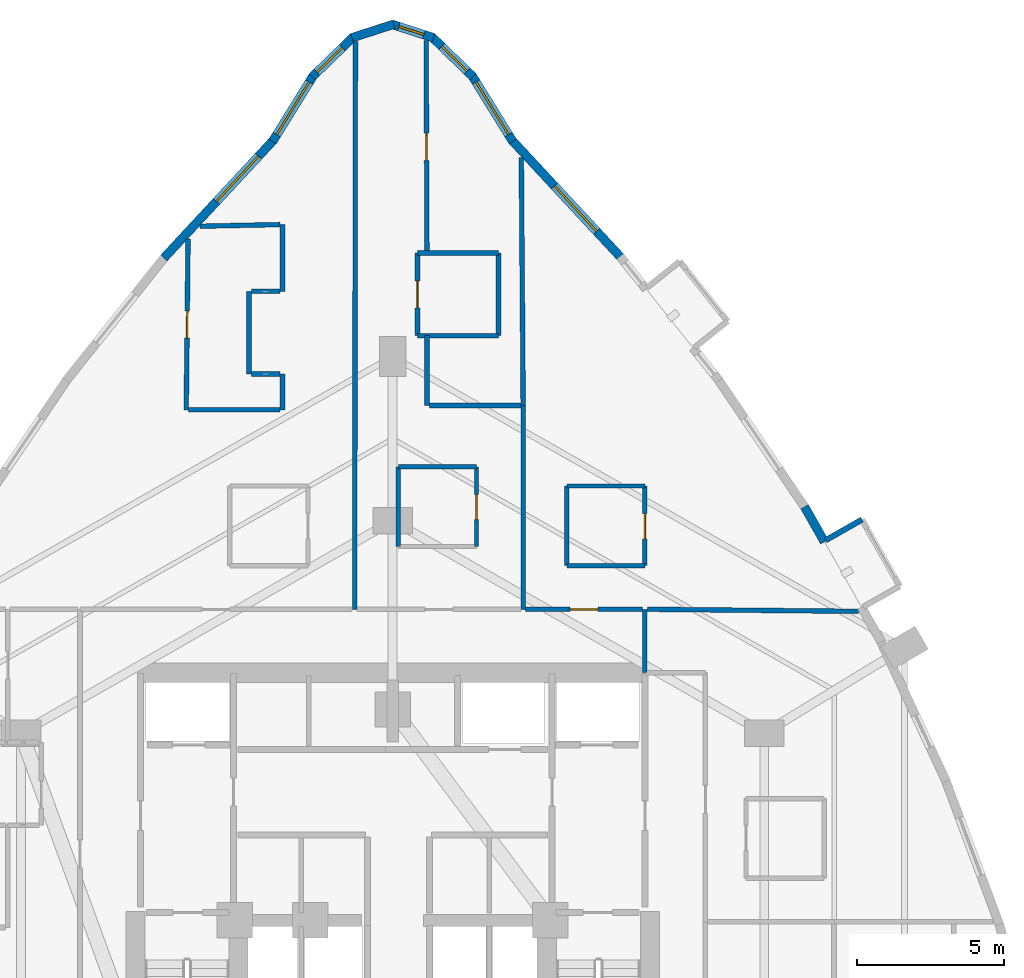
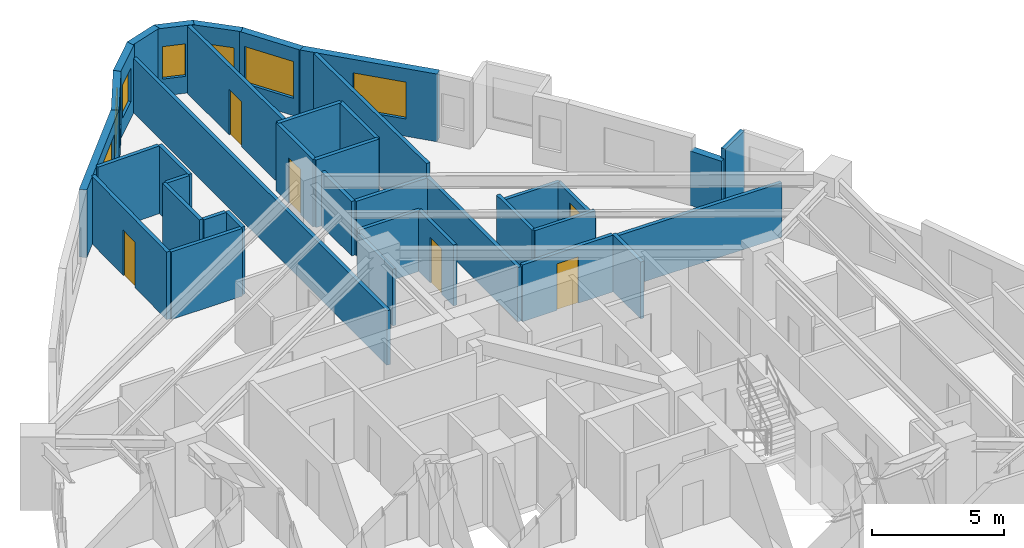
# One storey, part 11 of 13: 38 walls, 7 windows, 6 doors, 13 openings.
"""IFC4 building model written with IfcOpenShell, lengths in metres."""

import ifcopenshell
import ifcopenshell.guid

model = None  # the IFC model being written
_history = None  # IfcOwnerHistory: only IFC2X3 demands one
_inside = {}  # id of a spatial element -> (the spatial element, [elements in it])
_under = {}  # id of a project, library or spatial element -> (it, [spatial elements below it])
_declared = {}  # id of a project -> (the project, [libraries it declares])
_typed = {}  # id of a type object -> (the type object, [elements of that type])
_made_of = {}  # id of a material, layer set ... -> (it, [elements and type objects made of it])


def new_model(schema):
    """Start an empty IFC model of exactly this schema.

    Asked for "IFC4X3", IfcOpenShell would pick the latest addendum, in which some entities
    have other attributes; the version numbers below select the first issue.
    IFC2X3 requires an IfcOwnerHistory on every rooted entity: one is made here for all.
    """
    global model, _history
    if schema == "IFC4X3":
        model = ifcopenshell.file(schema_version=(4, 3, 0, 0))
    else:
        model = ifcopenshell.file(schema=schema)
    _inside.clear()
    _under.clear()
    _declared.clear()
    _typed.clear()
    _made_of.clear()
    _history = None
    if model.schema == "IFC2X3":
        org = make("IfcOrganization", Name="unknown")
        user = make(
            "IfcPersonAndOrganization",
            ThePerson=make("IfcPerson", FamilyName="unknown"),
            TheOrganization=org,
        )
        app = make(
            "IfcApplication",
            ApplicationDeveloper=org,
            Version="unknown",
            ApplicationFullName="unknown",
            ApplicationIdentifier="unknown",
        )
        _history = make(
            "IfcOwnerHistory",
            OwningUser=user,
            OwningApplication=app,
            ChangeAction="ADDED",
            CreationDate=0,
        )
    return model


def make(cls, **values):
    """One entity of the class cls with the attributes given. An attribute that is None is left unset."""
    return model.create_entity(
        cls, **{name: value for name, value in values.items() if value is not None}
    )


def rooted(cls, **values):
    """An entity with a GlobalId (a new one), such as an element, a storey or a relation."""
    return make(cls, GlobalId=ifcopenshell.guid.new(), OwnerHistory=_history, **values)


def si_unit(unit_type, name, prefix=None):
    """IfcSIUnit, for example si_unit("LENGTHUNIT", "METRE", prefix="MILLI")."""
    return make("IfcSIUnit", UnitType=unit_type, Prefix=prefix, Name=name)


def assignment(units):
    """IfcUnitAssignment: the units of a project."""
    return None if units is None else make("IfcUnitAssignment", Units=units)


def point(xyz):
    """IfcCartesianPoint."""
    return None if xyz is None else make("IfcCartesianPoint", Coordinates=xyz)


def direction(xyz):
    """IfcDirection."""
    return None if xyz is None else make("IfcDirection", DirectionRatios=xyz)


def frame(location, z_axis=None, x_axis=None):
    """IfcAxis2Placement3D, a coordinate frame: its origin and axes. An axis left out is left unset."""
    return make(
        "IfcAxis2Placement3D",
        Location=point(location),
        Axis=direction(z_axis),
        RefDirection=direction(x_axis),
    )


def frame_2d(location, x_axis=None):
    """IfcAxis2Placement2D, a coordinate frame in the plane: its origin and x axis."""
    return make(
        "IfcAxis2Placement2D", Location=point(location), RefDirection=direction(x_axis)
    )


def origin():
    """The frame at (0, 0, 0) with its axes left unset."""
    return frame((0.0, 0.0, 0.0))


def place(relative_to, where):
    """IfcLocalPlacement: puts the frame where relative to a parent placement (None: the world)."""
    return make(
        "IfcLocalPlacement", PlacementRelTo=relative_to, RelativePlacement=where
    )


def context(
    kind, dimensions, precision=None, world=None, true_north=None, identifier=None
):
    """IfcGeometricRepresentationContext, for example the 3D "Model" context."""
    return make(
        "IfcGeometricRepresentationContext",
        ContextIdentifier=identifier,
        ContextType=kind,
        CoordinateSpaceDimension=dimensions,
        Precision=precision,
        WorldCoordinateSystem=world,
        TrueNorth=true_north,
    )


def subcontext(parent, identifier, kind, view, scale=None):
    """IfcGeometricRepresentationSubContext, for example "Body" below "Model"."""
    return make(
        "IfcGeometricRepresentationSubContext",
        ContextIdentifier=identifier,
        ContextType=kind,
        ParentContext=parent,
        TargetScale=scale,
        TargetView=view,
    )


def project(units=None, contexts=None):
    """IfcProject with its units and contexts."""
    return rooted(
        "IfcProject",
        Name="project",
        RepresentationContexts=contexts,
        UnitsInContext=assignment(units),
    )


def spatial(cls, under=None, at=None, **own):
    """A site, building, storey or space (cls), placed at a placement, below another one or the project."""
    s = rooted(cls, ObjectPlacement=at, **own)
    if under is not None:
        _under.setdefault(under.id(), (under, []))[1].append(s)
    return s


def profile(cls, at=None, kind="AREA", **sizes):
    """A parametric profile (cls). Its sizes go by their IFC names, for example OverallWidth=200.0."""
    return make(cls, ProfileType=kind, Position=at, **sizes)


def rectangle(**sizes):
    """IfcRectangleProfileDef."""
    return profile("IfcRectangleProfileDef", **sizes)


def extrude(swept, where, along, depth):
    """IfcExtrudedAreaSolid: the profile swept, set in the frame where, extruded along a direction by depth."""
    return make(
        "IfcExtrudedAreaSolid",
        SweptArea=swept,
        Position=where,
        ExtrudedDirection=direction(along),
        Depth=depth,
    )


def shape(context_of_items, identifier, shape_type, items):
    """IfcShapeRepresentation: the items that make up one representation, for example the "Body"."""
    return make(
        "IfcShapeRepresentation",
        ContextOfItems=context_of_items,
        RepresentationIdentifier=identifier,
        RepresentationType=shape_type,
        Items=items,
    )


def material(Name=None, Category=None):
    """IfcMaterial."""
    return make("IfcMaterial", Name=Name, Category=Category)


def layer(
    of_material, thickness, ventilated=None, Name=None, Category=None, Priority=None
):
    """IfcMaterialLayer: one layer of a wall or slab, of a material (None: an air gap)."""
    return make(
        "IfcMaterialLayer",
        Material=of_material,
        LayerThickness=thickness,
        IsVentilated=ventilated,
        Name=Name,
        Category=Category,
        Priority=Priority,
    )


def layer_set(layers, Name=None):
    """IfcMaterialLayerSet."""
    return make("IfcMaterialLayerSet", MaterialLayers=layers, LayerSetName=Name)


def made_of(thing, what):
    """Note that an element or type object is made of a material, layer set ...; save() writes the relation."""
    if what is not None:
        _made_of.setdefault(what.id(), (what, []))[1].append(thing)
    return thing


def type_object(cls, material=None, **own):
    """A type object (cls), such as IfcWallType, which elements share."""
    return made_of(rooted(cls, **own), material)


def element(
    cls,
    number,
    at=None,
    inside=None,
    cuts=None,
    type_object=None,
    material=None,
    context=None,
    identifier="Body",
    shape_type=None,
    held_by="IfcProductDefinitionShape",
    body=None,
    shapes=None,
    **own,
):
    """One element of the class cls, such as IfcWall. Its Tag is "e" and its number.

    at: its placement. inside: the storey or other place that contains it. cuts: it is an
    opening in that element (IfcRelVoidsElement). A single representation is given by context,
    identifier, shape_type and body (its items); several are given by shapes. held_by: the class
    of the entity that holds the representations. save() writes the other relations.
    """
    e = rooted(cls, Tag="e%d" % number, ObjectPlacement=at, **own)
    if body is not None:
        shapes = [shape(context, identifier, shape_type, body)]
    if shapes is not None:
        e.Representation = make(held_by, Representations=shapes)
    if inside is not None:
        _inside.setdefault(inside.id(), (inside, []))[1].append(e)
    if cuts is not None:
        rooted(
            "IfcRelVoidsElement", RelatingBuildingElement=cuts, RelatedOpeningElement=e
        )
    if type_object is not None:
        _typed.setdefault(type_object.id(), (type_object, []))[1].append(e)
    return made_of(e, material)


def fill(opening, filler):
    """IfcRelFillsElement: the door or window that sits in an opening."""
    return rooted(
        "IfcRelFillsElement",
        RelatingOpeningElement=opening,
        RelatedBuildingElement=filler,
    )


def aggregate(whole, parts):
    """IfcRelAggregates: a whole, such as a stair, and the parts it consists of."""
    return rooted("IfcRelAggregates", RelatingObject=whole, RelatedObjects=parts)


def save(model, path):
    """Write the relations noted so far, then the file.

    IfcRelAggregates (storeys below a building ...), IfcRelContainedInSpatialStructure (elements
    in a storey), IfcRelDefinesByType, IfcRelAssociatesMaterial and IfcRelDeclares: one each for
    every whole, place, type object, material and project.
    """
    for whole, parts in _under.values():
        aggregate(whole, parts)
    for where, things in _inside.values():
        rooted(
            "IfcRelContainedInSpatialStructure",
            RelatedElements=things,
            RelatingStructure=where,
        )
    for kind, things in _typed.values():
        rooted("IfcRelDefinesByType", RelatedObjects=things, RelatingType=kind)
    for what, things in _made_of.values():
        rooted("IfcRelAssociatesMaterial", RelatedObjects=things, RelatingMaterial=what)
    for by, libraries in _declared.values():
        rooted("IfcRelDeclares", RelatingContext=by, RelatedDefinitions=libraries)
    model.write(path)


model = new_model("IFC4")

# Units and contexts
model_context = context("Model", 3, precision=1e-05, world=origin(), true_north=direction((0.0, 1.0)))
body_context = subcontext(model_context, "Body", "Model", "MODEL_VIEW")
ifc_project = project(units=[si_unit("LENGTHUNIT", "METRE"), si_unit("AREAUNIT", "SQUARE_METRE"), si_unit("VOLUMEUNIT", "CUBIC_METRE"), si_unit("PLANEANGLEUNIT", "RADIAN"), si_unit("MASSUNIT", "GRAM", prefix="KILO")], contexts=[model_context])

# Site, building, storey
site_placement = place(None, origin())
site = spatial("IfcSite", under=ifc_project, at=site_placement, CompositionType="ELEMENT")
building_placement = place(site_placement, origin())
building = spatial("IfcBuilding", under=site, at=building_placement, Name="Miruveldt Soraemaru", CompositionType="ELEMENT")
storey_placement = place(building_placement, frame((0.0, 0.0, 63.199951171875)))
storey = spatial("IfcBuildingStorey", under=building, at=storey_placement, Name="L17", CompositionType="ELEMENT", Elevation=63.199951171875)

# Wall
ifc_material_1 = material(Name="White powder-coated aluminium EN AW-6060 T6", Category="aluminium")
ifc_layer_1 = layer(ifc_material_1, 0.18994140625, Name="White powder-coated aluminium EN AW-6060 T6", Category="aluminium")
ifc_layer_set_1 = layer_set([ifc_layer_1], Name="White powder-coated aluminium EN AW-6060 T6")
wall_type_1 = type_object("IfcWallType", Name="WALL-BAY-ALU190", PredefinedType="SOLIDWALL", material=ifc_layer_set_1)
wall_1_placement = place(storey_placement, frame((59.91650390625, 57.643310546875, 0.0), z_axis=(0.0, 0.0, 1.0), x_axis=(-0.869799191674, -0.493405883794, 0.0)))
element("IfcWall", 1, at=wall_1_placement, inside=storey, type_object=wall_type_1, Name="L17 Bay Window Side Cheek 5R", PredefinedType="SOLIDWALL", context=body_context, shape_type="SweptSolid", body=[
    extrude(rectangle(XDim=1.425048828125, YDim=0.18994140625, at=frame_2d((0.71240234375, 0.0))), origin(), (0.0, 0.0, 1.0), 2.97509765625),
])

# Wall, opening, window
ifc_material_2 = material(Name="Precast concrete C45/55 (45 MPa)", Category="concrete")
ifc_layer_2 = layer(ifc_material_2, 0.300048828125, Name="Precast concrete C45/55 (45 MPa)", Category="concrete")
ifc_layer_set_2 = layer_set([ifc_layer_2], Name="Precast concrete C45/55 (45 MPa)")
wall_type_2 = type_object("IfcWallType", Name="WALL-EXT-PC300", PredefinedType="SOLIDWALL", material=ifc_layer_set_2)
wall_2_placement = place(storey_placement, frame((48.0751953125, 70.464111328125, 0.0), z_axis=(0.0, 0.0, 1.0), x_axis=(-0.526087217636, 0.850430620004, 0.0)))
wall_2 = element("IfcWall", 2, at=wall_2_placement, inside=storey, type_object=wall_type_2, Name="L17 Precast Concrete Facade Wall 1", PredefinedType="SOLIDWALL", context=body_context, shape_type="SweptSolid", body=[
    extrude(rectangle(XDim=2.640625, YDim=0.300048828125, at=frame_2d((1.3203125, 0.0))), origin(), (0.0, 0.0, 1.0), 3.125),
])
opening_1_placement = place(wall_2_placement, frame((0.27001953125, 0.0, 0.800048828125)))
opening_1 = element("IfcOpeningElement", 3, at=opening_1_placement, cuts=wall_2, Name="Opening WN-1", PredefinedType="OPENING", context=body_context, shape_type="SweptSolid", body=[
    extrude(rectangle(XDim=2.10009765625, YDim=1.699951171875, at=frame_2d((1.050048828125, 0.85009765625))), frame((0.0, 0.16015625, 0.0), z_axis=(0.0, -1.0, 0.0), x_axis=(1.0, 0.0, 0.0)), (0.0, 0.0, 1.0), 0.320068359375),
])
ifc_material_3 = material(Name="Triple low-e insulated glazing", Category="glass")
window_type_1 = type_object("IfcWindowType", Name="WIN-PUNCH-2100x1700", PartitioningType="SINGLE_PANEL", PredefinedType="WINDOW", material=ifc_material_3)
window_1_placement = place(opening_1_placement, origin())
window_1 = element("IfcWindow", 4, at=window_1_placement, inside=storey, type_object=window_type_1, Name="L17 Punched Triple-Glazed Window 01.1", OverallHeight=1.699951171875, OverallWidth=2.10009765625, PartitioningType="SINGLE_PANEL", PredefinedType="WINDOW", context=body_context, shape_type="SweptSolid", body=[
    extrude(rectangle(XDim=2.10009765625, YDim=1.699951171875, at=frame_2d((1.050048828125, 0.85009765625))), frame((0.0, 0.030029296875, 0.0), z_axis=(0.0, -1.0, 0.0), x_axis=(1.0, 0.0, 0.0)), (0.0, 0.0, 1.0), 0.06005859375),
])
fill(opening_1, window_1)

wall_3_placement = place(storey_placement, frame((46.7294921875, 72.655517578125, 0.0), z_axis=(0.0, 0.0, 1.0), x_axis=(-0.717771695188, 0.696278531614, 0.0)))
wall_3 = element("IfcWall", 5, at=wall_3_placement, inside=storey, type_object=wall_type_2, Name="L17 Precast Concrete Facade Wall 2", PredefinedType="SOLIDWALL", context=body_context, shape_type="SweptSolid", body=[
    extrude(rectangle(XDim=1.953857421875, YDim=0.300048828125, at=frame_2d((0.97705078125, 0.0))), origin(), (0.0, 0.0, 1.0), 3.125),
])
opening_2_placement = place(wall_3_placement, frame((0.281005859375, 0.0, 0.780029296875)))
opening_2 = element("IfcOpeningElement", 6, at=opening_2_placement, cuts=wall_3, Name="Opening WN-4", PredefinedType="OPENING", context=body_context, shape_type="SweptSolid", body=[
    extrude(rectangle(XDim=1.199951171875, YDim=1.550048828125, at=frame_2d((0.60009765625, 0.77490234375))), frame((0.0, 0.16015625, 0.0), z_axis=(0.0, -1.0, 0.0), x_axis=(1.0, 0.0, 0.0)), (0.0, 0.0, 1.0), 0.320068359375),
])
window_type_2 = type_object("IfcWindowType", Name="WIN-PUNCH-1200x1550", PartitioningType="SINGLE_PANEL", PredefinedType="WINDOW", material=ifc_material_3)
window_2_placement = place(opening_2_placement, origin())
window_2 = element("IfcWindow", 7, at=window_2_placement, inside=storey, type_object=window_type_2, Name="L17 Punched Triple-Glazed Window 02.1", OverallHeight=1.550048828125, OverallWidth=1.199951171875, PartitioningType="SINGLE_PANEL", PredefinedType="WINDOW", context=body_context, shape_type="SweptSolid", body=[
    extrude(rectangle(XDim=1.199951171875, YDim=1.550048828125, at=frame_2d((0.60009765625, 0.77490234375))), frame((0.0, 0.030029296875, 0.0), z_axis=(0.0, -1.0, 0.0), x_axis=(1.0, 0.0, 0.0)), (0.0, 0.0, 1.0), 0.06005859375),
])
fill(opening_2, window_2)

wall_4_placement = place(storey_placement, frame((45.385498046875, 73.980712890625, 0.0), z_axis=(0.0, 0.0, 1.0), x_axis=(-0.95149387198, 0.307667696687, 0.0)))
wall_4 = element("IfcWall", 8, at=wall_4_placement, inside=storey, type_object=wall_type_2, Name="L17 Precast Concrete Facade Wall 3", PredefinedType="SOLIDWALL", context=body_context, shape_type="SweptSolid", body=[
    extrude(rectangle(XDim=1.490966796875, YDim=0.300048828125, at=frame_2d((0.74560546875, 0.0))), origin(), (0.0, 0.0, 1.0), 3.125),
])
opening_3_placement = place(wall_4_placement, frame((0.340087890625, 0.0, 0.780029296875)))
opening_3 = element("IfcOpeningElement", 9, at=opening_3_placement, cuts=wall_4, Name="Opening WN-7", PredefinedType="OPENING", context=body_context, shape_type="SweptSolid", body=[
    extrude(rectangle(XDim=0.89990234375, YDim=1.5, at=frame_2d((0.449951171875, 0.75))), frame((0.0, 0.16015625, 0.0), z_axis=(0.0, -1.0, 0.0), x_axis=(1.0, 0.0, 0.0)), (0.0, 0.0, 1.0), 0.320068359375),
])
window_type_3 = type_object("IfcWindowType", Name="WIN-PUNCH-900x1500", PartitioningType="SINGLE_PANEL", PredefinedType="WINDOW", material=ifc_material_3)
window_3_placement = place(opening_3_placement, origin())
window_3 = element("IfcWindow", 10, at=window_3_placement, inside=storey, type_object=window_type_3, Name="L17 Bedroom Casement Window 1", OverallHeight=1.5, OverallWidth=0.89990234375, PartitioningType="SINGLE_PANEL", PredefinedType="WINDOW", context=body_context, shape_type="SweptSolid", body=[
    extrude(rectangle(XDim=0.89990234375, YDim=1.5, at=frame_2d((0.449951171875, 0.75))), frame((0.0, 0.030029296875, 0.0), z_axis=(0.0, -1.0, 0.0), x_axis=(1.0, 0.0, 0.0)), (0.0, 0.0, 1.0), 0.06005859375),
])
fill(opening_3, window_3)

# Wall
wall_5_placement = place(storey_placement, frame((44.033203125, 74.439453125, 0.0), z_axis=(0.0, 0.0, 1.0), x_axis=(-0.95149387198, -0.307667696687, 0.0)))
element("IfcWall", 11, at=wall_5_placement, inside=storey, type_object=wall_type_2, Name="L17 Precast Concrete Facade Wall 4", PredefinedType="SOLIDWALL", context=body_context, shape_type="SweptSolid", body=[
    extrude(rectangle(XDim=1.490966796875, YDim=0.300048828125, at=frame_2d((0.74560546875, 0.0))), origin(), (0.0, 0.0, 1.0), 3.125),
])

# Wall, opening, window
wall_6_placement = place(storey_placement, frame((42.6728515625, 74.015869140625, 0.0), z_axis=(0.0, 0.0, 1.0), x_axis=(-0.717771695188, -0.696278531614, 0.0)))
wall_6 = element("IfcWall", 12, at=wall_6_placement, inside=storey, type_object=wall_type_2, Name="L17 Precast Concrete Facade Wall 5", PredefinedType="SOLIDWALL", context=body_context, shape_type="SweptSolid", body=[
    extrude(rectangle(XDim=1.953857421875, YDim=0.300048828125, at=frame_2d((0.97705078125, 0.0))), origin(), (0.0, 0.0, 1.0), 3.125),
])
opening_4_placement = place(wall_6_placement, frame((0.532958984375, 0.0, 0.780029296875)))
opening_4 = element("IfcOpeningElement", 13, at=opening_4_placement, cuts=wall_6, Name="Opening WN-4", PredefinedType="OPENING", context=body_context, shape_type="SweptSolid", body=[
    extrude(rectangle(XDim=1.199951171875, YDim=1.550048828125, at=frame_2d((0.60009765625, 0.77490234375))), frame((0.0, 0.16015625, 0.0), z_axis=(0.0, -1.0, 0.0), x_axis=(1.0, 0.0, 0.0)), (0.0, 0.0, 1.0), 0.320068359375),
])
window_4_placement = place(opening_4_placement, origin())
window_4 = element("IfcWindow", 14, at=window_4_placement, inside=storey, type_object=window_type_2, Name="L17 Punched Triple-Glazed Window 05.1", OverallHeight=1.550048828125, OverallWidth=1.199951171875, PartitioningType="SINGLE_PANEL", PredefinedType="WINDOW", context=body_context, shape_type="SweptSolid", body=[
    extrude(rectangle(XDim=1.199951171875, YDim=1.550048828125, at=frame_2d((0.60009765625, 0.77490234375))), frame((0.0, 0.030029296875, 0.0), z_axis=(0.0, -1.0, 0.0), x_axis=(1.0, 0.0, 0.0)), (0.0, 0.0, 1.0), 0.06005859375),
])
fill(opening_4, window_4)

wall_7_placement = place(storey_placement, frame((41.31396484375, 72.709716796875, 0.0), z_axis=(0.0, 0.0, 1.0), x_axis=(-0.526087217636, -0.850430620004, 0.0)))
wall_7 = element("IfcWall", 15, at=wall_7_placement, inside=storey, type_object=wall_type_2, Name="L17 Precast Concrete Facade Wall 6", PredefinedType="SOLIDWALL", context=body_context, shape_type="SweptSolid", body=[
    extrude(rectangle(XDim=2.640625, YDim=0.300048828125, at=frame_2d((1.3203125, 0.0))), origin(), (0.0, 0.0, 1.0), 3.125),
])
opening_5_placement = place(wall_7_placement, frame((0.27001953125, 0.0, 0.800048828125)))
opening_5 = element("IfcOpeningElement", 16, at=opening_5_placement, cuts=wall_7, Name="Opening WN-1", PredefinedType="OPENING", context=body_context, shape_type="SweptSolid", body=[
    extrude(rectangle(XDim=2.10009765625, YDim=1.699951171875, at=frame_2d((1.050048828125, 0.85009765625))), frame((0.0, 0.16015625, 0.0), z_axis=(0.0, -1.0, 0.0), x_axis=(1.0, 0.0, 0.0)), (0.0, 0.0, 1.0), 0.320068359375),
])
window_5_placement = place(opening_5_placement, origin())
window_5 = element("IfcWindow", 17, at=window_5_placement, inside=storey, type_object=window_type_1, Name="L17 Punched Triple-Glazed Window 06.1", OverallHeight=1.699951171875, OverallWidth=2.10009765625, PartitioningType="SINGLE_PANEL", PredefinedType="WINDOW", context=body_context, shape_type="SweptSolid", body=[
    extrude(rectangle(XDim=2.10009765625, YDim=1.699951171875, at=frame_2d((1.050048828125, 0.85009765625))), frame((0.0, 0.030029296875, 0.0), z_axis=(0.0, -1.0, 0.0), x_axis=(1.0, 0.0, 0.0)), (0.0, 0.0, 1.0), 0.06005859375),
])
fill(opening_5, window_5)

wall_8_placement = place(storey_placement, frame((39.967041015625, 70.51953125, 0.0), z_axis=(0.0, 0.0, 1.0), x_axis=(-0.680882057682, -0.732393079928, 0.0)))
wall_8 = element("IfcWall", 18, at=wall_8_placement, inside=storey, type_object=wall_type_2, Name="L17 Precast Concrete Facade Wall 7", PredefinedType="SOLIDWALL", context=body_context, shape_type="SweptSolid", body=[
    extrude(rectangle(XDim=5.47412109375, YDim=0.300048828125, at=frame_2d((2.737060546875, 0.0))), origin(), (0.0, 0.0, 1.0), 3.125),
])
opening_6_placement = place(wall_8_placement, frame((0.75390625, 0.0, 0.800048828125)))
opening_6 = element("IfcOpeningElement", 19, at=opening_6_placement, cuts=wall_8, Name="Opening WN-1", PredefinedType="OPENING", context=body_context, shape_type="SweptSolid", body=[
    extrude(rectangle(XDim=2.10009765625, YDim=1.699951171875, at=frame_2d((1.050048828125, 0.85009765625))), frame((0.0, 0.16015625, 0.0), z_axis=(0.0, -1.0, 0.0), x_axis=(1.0, 0.0, 0.0)), (0.0, 0.0, 1.0), 0.320068359375),
])
window_6_placement = place(opening_6_placement, origin())
window_6 = element("IfcWindow", 20, at=window_6_placement, inside=storey, type_object=window_type_1, Name="L17 Punched Triple-Glazed Window 07.1", OverallHeight=1.699951171875, OverallWidth=2.10009765625, PartitioningType="SINGLE_PANEL", PredefinedType="WINDOW", context=body_context, shape_type="SweptSolid", body=[
    extrude(rectangle(XDim=2.10009765625, YDim=1.699951171875, at=frame_2d((1.050048828125, 0.85009765625))), frame((0.0, 0.030029296875, 0.0), z_axis=(0.0, -1.0, 0.0), x_axis=(1.0, 0.0, 0.0)), (0.0, 0.0, 1.0), 0.06005859375),
])
fill(opening_6, window_6)

# Wall
wall_9_placement = place(storey_placement, frame((58.64404296875, 56.886962890625, 0.0), z_axis=(0.0, 0.0, 1.0), x_axis=(-0.493390445805, 0.869807948911, 0.0)))
element("IfcWall", 21, at=wall_9_placement, inside=storey, type_object=wall_type_2, Name="L17 Precast Pier Wall 39B", PredefinedType="SOLIDWALL", context=body_context, shape_type="SweptSolid", body=[
    extrude(rectangle(XDim=1.369140625, YDim=0.300048828125, at=frame_2d((0.6845703125, 0.0))), origin(), (0.0, 0.0, 1.0), 2.512939453125),
])

# Wall, opening, window
wall_10_placement = place(storey_placement, frame((51.76025390625, 66.51025390625, 0.0), z_axis=(0.0, 0.0, 1.0), x_axis=(-0.680882057682, 0.732393079928, 0.0)))
wall_10 = element("IfcWall", 22, at=wall_10_placement, inside=storey, type_object=wall_type_2, Name="L17 Precast Concrete Facade Wall 42", PredefinedType="SOLIDWALL", context=body_context, shape_type="SweptSolid", body=[
    extrude(rectangle(XDim=5.47412109375, YDim=0.300048828125, at=frame_2d((2.737060546875, 0.0))), origin(), (0.0, 0.0, 1.0), 3.125),
])
opening_7_placement = place(wall_10_placement, frame((1.236083984375, 0.0, 0.800048828125)))
opening_7 = element("IfcOpeningElement", 23, at=opening_7_placement, cuts=wall_10, Name="Opening WN-1", PredefinedType="OPENING", context=body_context, shape_type="SweptSolid", body=[
    extrude(rectangle(XDim=2.10009765625, YDim=1.699951171875, at=frame_2d((1.050048828125, 0.85009765625))), frame((0.0, 0.16015625, 0.0), z_axis=(0.0, -1.0, 0.0), x_axis=(1.0, 0.0, 0.0)), (0.0, 0.0, 1.0), 0.320068359375),
])
window_7_placement = place(opening_7_placement, origin())
window_7 = element("IfcWindow", 24, at=window_7_placement, inside=storey, type_object=window_type_1, Name="L17 Punched Triple-Glazed Window 42.1", OverallHeight=1.699951171875, OverallWidth=2.10009765625, PartitioningType="SINGLE_PANEL", PredefinedType="WINDOW", context=body_context, shape_type="SweptSolid", body=[
    extrude(rectangle(XDim=2.10009765625, YDim=1.699951171875, at=frame_2d((1.050048828125, 0.85009765625))), frame((0.0, 0.030029296875, 0.0), z_axis=(0.0, -1.0, 0.0), x_axis=(1.0, 0.0, 0.0)), (0.0, 0.0, 1.0), 0.06005859375),
])
fill(opening_7, window_7)

# Wall, opening, door
ifc_material_4 = material(Name="Gypsum plasterboard lining", Category="gypsum")
ifc_layer_3 = layer(ifc_material_4, 0.14990234375, Name="Gypsum plasterboard lining", Category="gypsum")
ifc_layer_set_3 = layer_set([ifc_layer_3], Name="Gypsum plasterboard lining")
wall_type_3 = type_object("IfcWallType", Name="WALL-INT-PLUMB", PredefinedType="PLUMBINGWALL", material=ifc_layer_set_3)
wall_11_placement = place(storey_placement, frame((46.842041015625, 56.72998046875, 0.0), z_axis=(0.0, 0.0, 1.0), x_axis=(0.0, 1.0, 0.0)))
wall_11 = element("IfcWall", 25, at=wall_11_placement, inside=storey, type_object=wall_type_3, Name="L17 Partition Wall 27", PredefinedType="PLUMBINGWALL", context=body_context, shape_type="SweptSolid", body=[
    extrude(rectangle(XDim=2.699951171875, YDim=0.14990234375, at=frame_2d((1.35009765625, 0.0))), origin(), (0.0, 0.0, 1.0), 2.81298828125),
])
opening_8_placement = place(wall_11_placement, frame((0.909912109375, 0.0, 0.0)))
opening_8 = element("IfcOpeningElement", 26, at=opening_8_placement, cuts=wall_11, Name="Opening FD3", PredefinedType="OPENING", context=body_context, shape_type="SweptSolid", body=[
    extrude(rectangle(XDim=0.85009765625, YDim=2.10009765625, at=frame_2d((0.425048828125, 1.050048828125))), frame((0.0, 0.0849609375, 0.0), z_axis=(0.0, -1.0, 0.0), x_axis=(1.0, 0.0, 0.0)), (0.0, 0.0, 1.0), 0.169921875),
])
ifc_material_5 = material(Name="Anodised aluminium EN AW-6063 T6", Category="aluminium")
door_type_1 = type_object("IfcDoorType", Name="DOOR-FD3-850", OperationType="NOTDEFINED", PredefinedType="DOOR", material=ifc_material_5)
door_1_placement = place(opening_8_placement, origin())
door_1 = element("IfcDoor", 27, at=door_1_placement, inside=storey, type_object=door_type_1, Name="L17 Unit 1703 BTH Door", OperationType="SINGLE_SWING_LEFT", OverallHeight=2.10009765625, OverallWidth=0.85009765625, PredefinedType="DOOR", context=body_context, shape_type="SweptSolid", body=[
    extrude(rectangle(XDim=0.85009765625, YDim=2.10009765625, at=frame_2d((0.425048828125, 1.050048828125))), frame((0.0, 0.02490234375, 0.0), z_axis=(0.0, -1.0, 0.0), x_axis=(1.0, 0.0, 0.0)), (0.0, 0.0, 1.0), 0.050048828125),
])
fill(opening_8, door_1)

wall_12_placement = place(storey_placement, frame((52.554931640625, 56.080078125, 0.0), z_axis=(0.0, 0.0, 1.0), x_axis=(0.0, 1.0, 0.0)))
wall_12 = element("IfcWall", 28, at=wall_12_placement, inside=storey, type_object=wall_type_3, Name="L17 Partition Wall 37", PredefinedType="PLUMBINGWALL", context=body_context, shape_type="SweptSolid", body=[
    extrude(rectangle(XDim=2.699951171875, YDim=0.14990234375, at=frame_2d((1.35009765625, 0.0))), origin(), (0.0, 0.0, 1.0), 2.512939453125),
])
opening_9_placement = place(wall_12_placement, frame((0.909912109375, 0.0, 0.0)))
opening_9 = element("IfcOpeningElement", 29, at=opening_9_placement, cuts=wall_12, Name="Opening FD3", PredefinedType="OPENING", context=body_context, shape_type="SweptSolid", body=[
    extrude(rectangle(XDim=0.85009765625, YDim=2.10009765625, at=frame_2d((0.425048828125, 1.050048828125))), frame((0.0, 0.0849609375, 0.0), z_axis=(0.0, -1.0, 0.0), x_axis=(1.0, 0.0, 0.0)), (0.0, 0.0, 1.0), 0.169921875),
])
door_2_placement = place(opening_9_placement, origin())
door_2 = element("IfcDoor", 30, at=door_2_placement, inside=storey, type_object=door_type_1, Name="L17 Unit CL04 BTH Door", OperationType="SINGLE_SWING_LEFT", OverallHeight=2.10009765625, OverallWidth=0.85009765625, PredefinedType="DOOR", context=body_context, shape_type="SweptSolid", body=[
    extrude(rectangle(XDim=0.85009765625, YDim=2.10009765625, at=frame_2d((0.425048828125, 1.050048828125))), frame((0.0, 0.02490234375, 0.0), z_axis=(0.0, -1.0, 0.0), x_axis=(1.0, 0.0, 0.0)), (0.0, 0.0, 1.0), 0.050048828125),
])
fill(opening_9, door_2)

# Walls
wall_13_placement = place(storey_placement, frame((44.19189453125, 59.429931640625, 0.0), z_axis=(0.0, 0.0, 1.0), x_axis=(0.0, -1.0, 0.0)))
element("IfcWall", 31, at=wall_13_placement, inside=storey, type_object=wall_type_3, Name="L17 Partition Wall 29", PredefinedType="PLUMBINGWALL", context=body_context, shape_type="SweptSolid", body=[
    extrude(rectangle(XDim=2.699951171875, YDim=0.14990234375, at=frame_2d((1.35009765625, 0.0))), origin(), (0.0, 0.0, 1.0), 2.625),
])
wall_14_placement = place(storey_placement, frame((49.905029296875, 58.780029296875, 0.0), z_axis=(0.0, 0.0, 1.0), x_axis=(0.0, -1.0, 0.0)))
element("IfcWall", 32, at=wall_14_placement, inside=storey, type_object=wall_type_3, Name="L17 Partition Wall 39", PredefinedType="PLUMBINGWALL", context=body_context, shape_type="SweptSolid", body=[
    extrude(rectangle(XDim=2.699951171875, YDim=0.14990234375, at=frame_2d((1.35009765625, 0.0))), origin(), (0.0, 0.0, 1.0), 2.81298828125),
])
wall_15_placement = place(storey_placement, frame((46.842041015625, 59.429931640625, 0.0), z_axis=(0.0, 0.0, 1.0), x_axis=(-1.0, 0.0, 0.0)))
element("IfcWall", 33, at=wall_15_placement, inside=storey, type_object=wall_type_3, Name="L17 Partition Wall 28", PredefinedType="PLUMBINGWALL", context=body_context, shape_type="SweptSolid", body=[
    extrude(rectangle(XDim=2.650146484375, YDim=0.14990234375, at=frame_2d((1.3251953125, 0.0))), origin(), (0.0, 0.0, 1.0), 2.81298828125),
])
wall_16_placement = place(storey_placement, frame((52.554931640625, 58.780029296875, 0.0), z_axis=(0.0, 0.0, 1.0), x_axis=(-1.0, 0.0, 0.0)))
element("IfcWall", 34, at=wall_16_placement, inside=storey, type_object=wall_type_3, Name="L17 Partition Wall 38", PredefinedType="PLUMBINGWALL", context=body_context, shape_type="SweptSolid", body=[
    extrude(rectangle(XDim=2.64990234375, YDim=0.14990234375, at=frame_2d((1.324951171875, 0.0))), origin(), (0.0, 0.0, 1.0), 2.512939453125),
])
wall_17_placement = place(storey_placement, frame((49.905029296875, 56.080078125, 0.0), z_axis=(0.0, 0.0, 1.0), x_axis=(1.0, 0.0, 0.0)))
element("IfcWall", 35, at=wall_17_placement, inside=storey, type_object=wall_type_3, Name="L17 Partition Wall 40", PredefinedType="PLUMBINGWALL", context=body_context, shape_type="SweptSolid", body=[
    extrude(rectangle(XDim=2.64990234375, YDim=0.14990234375, at=frame_2d((1.324951171875, 0.0))), origin(), (0.0, 0.0, 1.0), 2.81298828125),
])

# Wall, opening, door
ifc_material_6 = material(Name="Concrete C40/50 (40 MPa)", Category="concrete")
ifc_layer_4 = layer(ifc_material_6, 0.159912109375, Name="Concrete C40/50 (40 MPa)", Category="concrete")
ifc_layer_set_4 = layer_set([ifc_layer_4], Name="Concrete C40/50 (40 MPa)")
wall_type_4 = type_object("IfcWallType", Name="WALL-INT-RC160", PredefinedType="SOLIDWALL", material=ifc_layer_set_4)
wall_18_placement = place(storey_placement, frame((45.162109375, 66.679931640625, 0.0), z_axis=(0.0, 0.0, 1.0), x_axis=(-0.003624146366, 0.99999343276, 0.0)))
wall_18 = element("IfcWall", 36, at=wall_18_placement, inside=storey, type_object=wall_type_4, Name="L17 Partition Wall 34", PredefinedType="SOLIDWALL", context=body_context, shape_type="SweptSolid", body=[
    extrude(rectangle(XDim=7.2080078125, YDim=0.159912109375, at=frame_2d((3.60400390625, 0.0))), origin(), (0.0, 0.0, 1.0), 3.125),
])
opening_10_placement = place(wall_18_placement, frame((3.14404296875, 0.0, 0.0)))
opening_10 = element("IfcOpeningElement", 37, at=opening_10_placement, cuts=wall_18, Name="Opening D3A", PredefinedType="OPENING", context=body_context, shape_type="SweptSolid", body=[
    extrude(rectangle(XDim=0.919921875, YDim=2.10009765625, at=frame_2d((0.4599609375, 1.050048828125))), frame((0.0, 0.08984375, 0.0), z_axis=(0.0, -1.0, 0.0), x_axis=(1.0, 0.0, 0.0)), (0.0, 0.0, 1.0), 0.179931640625),
])
door_type_2 = type_object("IfcDoorType", Name="DOOR-INT-920", OperationType="NOTDEFINED", PredefinedType="DOOR", material=ifc_material_5)
door_3_placement = place(opening_10_placement, origin())
door_3 = element("IfcDoor", 38, at=door_3_placement, inside=storey, type_object=door_type_2, Name="L17 Unit 1703 BD1 Door", OperationType="SINGLE_SWING_LEFT", OverallHeight=2.10009765625, OverallWidth=0.919921875, PredefinedType="DOOR", context=body_context, shape_type="SweptSolid", body=[
    extrude(rectangle(XDim=0.919921875, YDim=2.10009765625, at=frame_2d((0.4599609375, 1.050048828125))), frame((0.0, 0.02490234375, 0.0), z_axis=(0.0, -1.0, 0.0), x_axis=(1.0, 0.0, 0.0)), (0.0, 0.0, 1.0), 0.050048828125),
])
fill(opening_10, door_3)

wall_19_placement = place(storey_placement, frame((37.0, 61.364990234375, 0.0), z_axis=(0.0, 0.0, 1.0), x_axis=(0.010713068323, 0.999942613437, 0.0)))
wall_19 = element("IfcWall", 39, at=wall_19_placement, inside=storey, type_object=wall_type_4, Name="L17 Partition Wall 23", PredefinedType="SOLIDWALL", context=body_context, shape_type="SweptSolid", body=[
    extrude(rectangle(XDim=5.788330078125, YDim=0.159912109375, at=frame_2d((2.89404296875, 0.0))), origin(), (0.0, 0.0, 1.0), 3.125),
])
opening_11_placement = place(wall_19_placement, frame((2.43408203125, 0.0, 0.0)))
opening_11 = element("IfcOpeningElement", 40, at=opening_11_placement, cuts=wall_19, Name="Opening D3A", PredefinedType="OPENING", context=body_context, shape_type="SweptSolid", body=[
    extrude(rectangle(XDim=0.919921875, YDim=2.10009765625, at=frame_2d((0.4599609375, 1.050048828125))), frame((0.0, 0.08984375, 0.0), z_axis=(0.0, -1.0, 0.0), x_axis=(1.0, 0.0, 0.0)), (0.0, 0.0, 1.0), 0.179931640625),
])
door_4_placement = place(opening_11_placement, origin())
door_4 = element("IfcDoor", 41, at=door_4_placement, inside=storey, type_object=door_type_2, Name="L17 Unit 1702 BD1 Door", OperationType="SINGLE_SWING_LEFT", OverallHeight=2.10009765625, OverallWidth=0.919921875, PredefinedType="DOOR", context=body_context, shape_type="SweptSolid", body=[
    extrude(rectangle(XDim=0.919921875, YDim=2.10009765625, at=frame_2d((0.4599609375, 1.050048828125))), frame((0.0, 0.02490234375, 0.0), z_axis=(0.0, -1.0, 0.0), x_axis=(1.0, 0.0, 0.0)), (0.0, 0.0, 1.0), 0.050048828125),
])
fill(opening_11, door_4)

wall_20_placement = place(storey_placement, frame((52.469970703125, 54.60009765625, 0.0), z_axis=(0.0, 0.0, 1.0), x_axis=(-1.0, 0.0, 0.0)))
wall_20 = element("IfcWall", 42, at=wall_20_placement, inside=storey, type_object=wall_type_4, Name="L17 Partition Wall 3", PredefinedType="SOLIDWALL", context=body_context, shape_type="SweptSolid", body=[
    extrude(rectangle(XDim=3.965087890625, YDim=0.159912109375, at=frame_2d((1.982421875, 0.0))), origin(), (0.0, 0.0, 1.0), 2.625),
])
opening_12_placement = place(wall_20_placement, frame((1.507080078125, 0.0, 0.0)))
opening_12 = element("IfcOpeningElement", 43, at=opening_12_placement, cuts=wall_20, Name="Opening FD2", PredefinedType="OPENING", context=body_context, shape_type="SweptSolid", body=[
    extrude(rectangle(XDim=0.949951171875, YDim=2.14990234375, at=frame_2d((0.47509765625, 1.074951171875))), frame((0.0, 0.08984375, 0.0), z_axis=(0.0, -1.0, 0.0), x_axis=(1.0, 0.0, 0.0)), (0.0, 0.0, 1.0), 0.179931640625),
])
door_type_3 = type_object("IfcDoorType", Name="DOOR-FD2-950", OperationType="NOTDEFINED", PredefinedType="DOOR", material=ifc_material_5)
door_5_placement = place(opening_12_placement, origin())
door_5 = element("IfcDoor", 44, at=door_5_placement, inside=storey, type_object=door_type_3, Name="L17 Unit CL04 Entrance Fire Door", OperationType="SINGLE_SWING_RIGHT", OverallHeight=2.14990234375, OverallWidth=0.949951171875, PredefinedType="DOOR", context=body_context, shape_type="SweptSolid", body=[
    extrude(rectangle(XDim=0.949951171875, YDim=2.14990234375, at=frame_2d((0.47509765625, 1.074951171875))), frame((0.0, 0.02490234375, 0.0), z_axis=(0.0, -1.0, 0.0), x_axis=(1.0, 0.0, 0.0)), (0.0, 0.0, 1.0), 0.050048828125),
])
fill(opening_12, door_5)

wall_21_placement = place(storey_placement, frame((44.842041015625, 66.679931640625, 0.0), z_axis=(0.0, 0.0, 1.0), x_axis=(0.0, -1.0, 0.0)))
wall_21 = element("IfcWall", 45, at=wall_21_placement, inside=storey, type_object=wall_type_4, Name="L17 Partition Wall 31", PredefinedType="SOLIDWALL", context=body_context, shape_type="SweptSolid", body=[
    extrude(rectangle(XDim=2.800048828125, YDim=0.159912109375, at=frame_2d((1.39990234375, 0.0))), origin(), (0.0, 0.0, 1.0), 3.125),
])
opening_13_placement = place(wall_21_placement, frame((0.93994140625, 0.0, 0.0)))
opening_13 = element("IfcOpeningElement", 46, at=opening_13_placement, cuts=wall_21, Name="Opening D3A", PredefinedType="OPENING", context=body_context, shape_type="SweptSolid", body=[
    extrude(rectangle(XDim=0.919921875, YDim=2.10009765625, at=frame_2d((0.4599609375, 1.050048828125))), frame((0.0, 0.08984375, 0.0), z_axis=(0.0, -1.0, 0.0), x_axis=(1.0, 0.0, 0.0)), (0.0, 0.0, 1.0), 0.179931640625),
])
door_6_placement = place(opening_13_placement, origin())
door_6 = element("IfcDoor", 47, at=door_6_placement, inside=storey, type_object=door_type_2, Name="L17 Unit 1703 KIT Door", OperationType="SINGLE_SWING_RIGHT", OverallHeight=2.10009765625, OverallWidth=0.919921875, PredefinedType="DOOR", context=body_context, shape_type="SweptSolid", body=[
    extrude(rectangle(XDim=0.919921875, YDim=2.10009765625, at=frame_2d((0.4599609375, 1.050048828125))), frame((0.0, 0.02490234375, 0.0), z_axis=(0.0, -1.0, 0.0), x_axis=(1.0, 0.0, 0.0)), (0.0, 0.0, 1.0), 0.050048828125),
])
fill(opening_13, door_6)

# Walls
wall_22_placement = place(storey_placement, frame((42.7119140625, 54.60009765625, 0.0), z_axis=(0.0, 0.0, 1.0), x_axis=(0.001357263924, 0.999999078917, 0.0)))
element("IfcWall", 48, at=wall_22_placement, inside=storey, type_object=wall_type_4, Name="L17 Partition Wall 24", PredefinedType="SOLIDWALL", context=body_context, shape_type="SweptSolid", body=[
    extrude(rectangle(XDim=19.246826171875, YDim=0.159912109375, at=frame_2d((9.62353515625, 0.0))), origin(), (0.0, 0.0, 1.0), 2.512939453125),
])
wall_23_placement = place(storey_placement, frame((48.362060546875, 69.923095703125, 0.0), z_axis=(0.0, 0.0, 1.0), x_axis=(0.007487600639, -0.999971967525, 0.0)))
element("IfcWall", 49, at=wall_23_placement, inside=storey, type_object=wall_type_4, Name="L17 Partition Wall 95", PredefinedType="SOLIDWALL", context=body_context, shape_type="SweptSolid", body=[
    extrude(rectangle(XDim=8.412353515625, YDim=0.159912109375, at=frame_2d((4.2060546875, 0.0))), origin(), (0.0, 0.0, 1.0), 3.125),
])
wall_24_placement = place(storey_placement, frame((52.633056640625, 54.60009765625, 0.0), z_axis=(0.0, 0.0, 1.0), x_axis=(0.999952203327, -0.009777068182, 0.0)))
element("IfcWall", 50, at=wall_24_placement, inside=storey, type_object=wall_type_4, Name="L17 Partition Wall 41", PredefinedType="SOLIDWALL", context=body_context, shape_type="SweptSolid", body=[
    extrude(rectangle(XDim=7.16650390625, YDim=0.159912109375, at=frame_2d((3.583251953125, 0.0))), origin(), (0.0, 0.0, 1.0), 2.512939453125),
])
wall_25_placement = place(storey_placement, frame((48.425048828125, 54.60009765625, 0.0), z_axis=(0.0, 0.0, 1.0), x_axis=(0.0, 1.0, 0.0)))
element("IfcWall", 51, at=wall_25_placement, inside=storey, type_object=wall_type_4, Name="L17 Partition Wall 35", PredefinedType="SOLIDWALL", context=body_context, shape_type="SweptSolid", body=[
    extrude(rectangle(XDim=6.910888671875, YDim=0.159912109375, at=frame_2d((3.45556640625, 0.0))), origin(), (0.0, 0.0, 1.0), 2.512939453125),
])
wall_26_placement = place(storey_placement, frame((48.344970703125, 61.510986328125, 0.0), z_axis=(0.0, 0.0, 1.0), x_axis=(-1.0, 0.0, 0.0)))
element("IfcWall", 52, at=wall_26_placement, inside=storey, type_object=wall_type_4, Name="L17 Partition Wall 32", PredefinedType="SOLIDWALL", context=body_context, shape_type="SweptSolid", body=[
    extrude(rectangle(XDim=3.10302734375, YDim=0.159912109375, at=frame_2d((1.551513671875, 0.0))), origin(), (0.0, 0.0, 1.0), 2.512939453125),
])
wall_27_placement = place(storey_placement, frame((40.181884765625, 61.364990234375, 0.0), z_axis=(0.0, 0.0, 1.0), x_axis=(-1.0, 0.0, 0.0)))
element("IfcWall", 53, at=wall_27_placement, inside=storey, type_object=wall_type_4, Name="L17 Partition Wall 22", PredefinedType="SOLIDWALL", context=body_context, shape_type="SweptSolid", body=[
    extrude(rectangle(XDim=3.101806640625, YDim=0.159912109375, at=frame_2d((1.55078125, 0.0))), origin(), (0.0, 0.0, 1.0), 3.125),
])
wall_28_placement = place(storey_placement, frame((47.592041015625, 63.8798828125, 0.0), z_axis=(0.0, 0.0, 1.0), x_axis=(0.0, 1.0, 0.0)))
element("IfcWall", 54, at=wall_28_placement, inside=storey, type_object=wall_type_4, Name="L17 Partition Wall 36", PredefinedType="SOLIDWALL", context=body_context, shape_type="SweptSolid", body=[
    extrude(rectangle(XDim=2.800048828125, YDim=0.159912109375, at=frame_2d((1.39990234375, 0.0))), origin(), (0.0, 0.0, 1.0), 3.125),
])
wall_29_placement = place(storey_placement, frame((39.1298828125, 65.3798828125, 0.0), z_axis=(0.0, 0.0, 1.0), x_axis=(0.0, -1.0, 0.0)))
element("IfcWall", 55, at=wall_29_placement, inside=storey, type_object=wall_type_4, Name="L17 Partition Wall 19", PredefinedType="SOLIDWALL", context=body_context, shape_type="SweptSolid", body=[
    extrude(rectangle(XDim=2.7998046875, YDim=0.159912109375, at=frame_2d((1.39990234375, 0.0))), origin(), (0.0, 0.0, 1.0), 3.125),
])
for number, where, z_axis, x_axis, name in (
    (56, (47.592041015625, 66.679931640625, 0.0), (0.0, 0.0, 1.0), (-1.0, 0.0, 0.0), "L17 Partition Wall 93"),
    (57, (44.842041015625, 63.8798828125, 0.0), (0.0, 0.0, 1.0), (1.0, 0.0, 0.0), "L17 Partition Wall 94"),
):
    element("IfcWall", number, at=place(storey_placement, frame(where, z_axis=z_axis, x_axis=x_axis)), inside=storey, type_object=wall_type_4, Name=name, PredefinedType="SOLIDWALL", context=body_context, shape_type="SweptSolid", body=[
        extrude(rectangle(XDim=2.75, YDim=0.159912109375, at=frame_2d((1.375, 0.0))), origin(), (0.0, 0.0, 1.0), 3.125),
    ])
wall_30_placement = place(storey_placement, frame((37.468017578125, 67.589111328125, 0.0), z_axis=(0.0, 0.0, 1.0), x_axis=(0.999787868245, 0.020596565476, 0.0)))
element("IfcWall", 58, at=wall_30_placement, inside=storey, type_object=wall_type_4, Name="L17 Partition Wall 16", PredefinedType="SOLIDWALL", context=body_context, shape_type="SweptSolid", body=[
    extrude(rectangle(XDim=2.71435546875, YDim=0.159912109375, at=frame_2d((1.357177734375, 0.0))), origin(), (0.0, 0.0, 1.0), 3.125),
])
wall_31_placement = place(storey_placement, frame((45.162109375, 61.510986328125, 0.0), z_axis=(0.0, 0.0, 1.0), x_axis=(0.0, 1.0, 0.0)))
element("IfcWall", 59, at=wall_31_placement, inside=storey, type_object=wall_type_4, Name="L17 Partition Wall 33", PredefinedType="SOLIDWALL", context=body_context, shape_type="SweptSolid", body=[
    extrude(rectangle(XDim=2.368896484375, YDim=0.159912109375, at=frame_2d((1.1845703125, 0.0))), origin(), (0.0, 0.0, 1.0), 2.512939453125),
])
wall_32_placement = place(storey_placement, frame((40.261962890625, 67.64697265625, 0.0), z_axis=(0.0, 0.0, 1.0), x_axis=(0.0, -1.0, 0.0)))
element("IfcWall", 60, at=wall_32_placement, inside=storey, type_object=wall_type_4, Name="L17 Partition Wall 17", PredefinedType="SOLIDWALL", context=body_context, shape_type="SweptSolid", body=[
    extrude(rectangle(XDim=2.26708984375, YDim=0.159912109375, at=frame_2d((1.133544921875, 0.0))), origin(), (0.0, 0.0, 1.0), 3.125),
])
wall_33_placement = place(storey_placement, frame((52.550048828125, 52.449951171875, 0.0), z_axis=(0.0, 0.0, 1.0), x_axis=(0.0, 1.0, 0.0)))
element("IfcWall", 61, at=wall_33_placement, inside=storey, type_object=wall_type_4, Name="L17 Partition Wall 8", PredefinedType="SOLIDWALL", context=body_context, shape_type="SweptSolid", body=[
    extrude(rectangle(XDim=2.14697265625, YDim=0.159912109375, at=frame_2d((1.073486328125, 0.0))), origin(), (0.0, 0.0, 1.0), 2.625),
])
wall_34_placement = place(storey_placement, frame((40.261962890625, 62.580078125, 0.0), z_axis=(0.0, 0.0, 1.0), x_axis=(0.0, -1.0, 0.0)))
element("IfcWall", 62, at=wall_34_placement, inside=storey, type_object=wall_type_4, Name="L17 Partition Wall 21", PredefinedType="SOLIDWALL", context=body_context, shape_type="SweptSolid", body=[
    extrude(rectangle(XDim=1.215087890625, YDim=0.159912109375, at=frame_2d((0.607421875, 0.0))), origin(), (0.0, 0.0, 1.0), 3.125),
])
for number, where, z_axis, x_axis, name in (
    (63, (40.181884765625, 65.3798828125, 0.0), (0.0, 0.0, 1.0), (-1.0, 0.0, 0.0), "L17 Partition Wall 18"),
    (64, (39.2099609375, 62.580078125, 0.0), (0.0, 0.0, 1.0), (1.0, 0.0, 0.0), "L17 Partition Wall 20"),
):
    element("IfcWall", number, at=place(storey_placement, frame(where, z_axis=z_axis, x_axis=x_axis)), inside=storey, type_object=wall_type_4, Name=name, PredefinedType="SOLIDWALL", context=body_context, shape_type="SweptSolid", body=[
        extrude(rectangle(XDim=0.971923828125, YDim=0.159912109375, at=frame_2d((0.48583984375, 0.0))), origin(), (0.0, 0.0, 1.0), 3.125),
    ])

save(model, "model.ifc")
